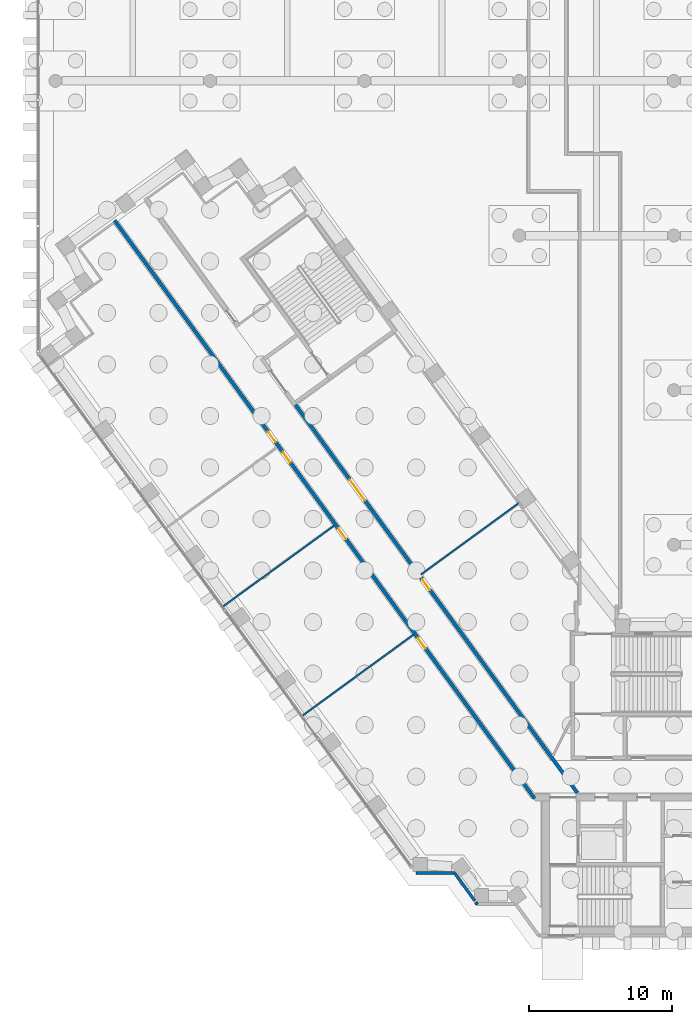
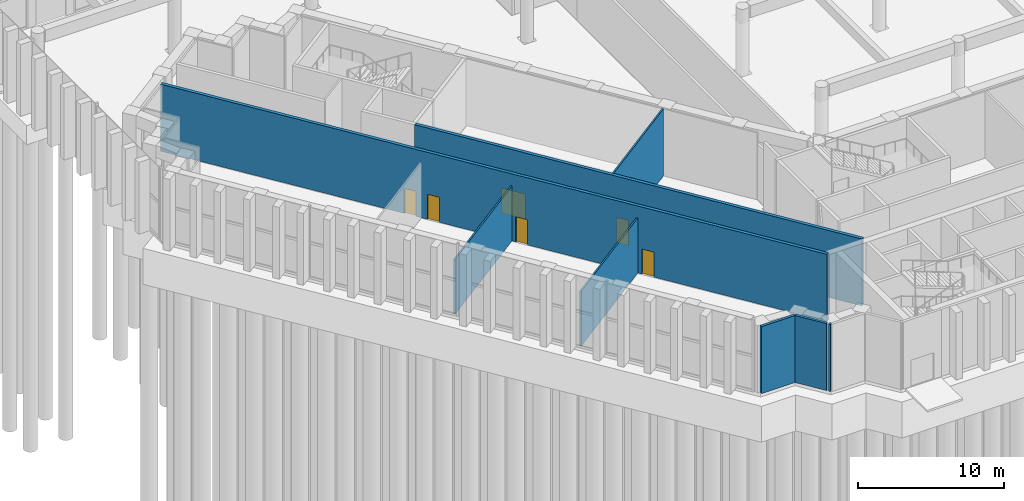
# One storey, part 16 of 32: 8 walls, 6 doors, 6 openings.
"""IFC4 building model written with IfcOpenShell, lengths in metres."""

from ifc_helpers import new_model, si_unit, direction, frame, frame_2d, origin, place, context, subcontext, project, spatial, rectangle, extrude, material, layer, layer_set, type_object, element, fill, save


model = new_model("IFC4")

# Units and contexts
model_context = context("Model", 3, precision=1e-05, world=origin(), true_north=direction((0.0, 1.0)))
body_context = subcontext(model_context, "Body", "Model", "MODEL_VIEW")
ifc_project = project(units=[si_unit("LENGTHUNIT", "METRE"), si_unit("AREAUNIT", "SQUARE_METRE"), si_unit("VOLUMEUNIT", "CUBIC_METRE"), si_unit("PLANEANGLEUNIT", "RADIAN"), si_unit("MASSUNIT", "GRAM", prefix="KILO")], contexts=[model_context])

# Site, building, storey
site_placement = place(None, origin())
site = spatial("IfcSite", under=ifc_project, at=site_placement, CompositionType="ELEMENT")
building_placement = place(site_placement, origin())
building = spatial("IfcBuilding", under=site, at=building_placement, Name="Quipu Civic Tower", CompositionType="ELEMENT")
storey_placement = place(building_placement, origin())
storey = spatial("IfcBuildingStorey", under=building, at=storey_placement, Name="L00", CompositionType="ELEMENT", Elevation=0.0)

# Wall, openings, doors
ifc_material_1 = material(Name="Concrete C50/60", Category="concrete")
ifc_layer_1 = layer(ifc_material_1, 0.25)
ifc_layer_set_1 = layer_set([ifc_layer_1], Name="Concrete C50/60")
wall_type_1 = type_object("IfcWallType", Name="Corridor wall 250 concrete", PredefinedType="SOLIDWALL", material=ifc_layer_set_1)
wall_1_placement = place(storey_placement, frame((-20.531005859375, -1.5234375, 0.0), z_axis=(0.0, 0.0, 1.0), x_axis=(-0.587784522481, 0.809017524614, 0.0)))
wall_1 = element("IfcWall", 1, at=wall_1_placement, inside=storey, type_object=wall_type_1, Name="Corridor wall C02", PredefinedType="SOLIDWALL", context=body_context, shape_type="SweptSolid", body=[
    extrude(rectangle(XDim=49.912353515625, YDim=0.25, at=frame_2d((24.9560546875, 0.0))), origin(), (0.0, 0.0, 1.0), 5.60009765625),
])
opening_1_placement = place(wall_1_placement, frame((30.765380859375, 0.0, 0.0)))
opening_1 = element("IfcOpeningElement", 2, at=opening_1_placement, cuts=wall_1, Name="Opening D015", PredefinedType="OPENING", context=body_context, shape_type="SweptSolid", body=[
    extrude(rectangle(XDim=0.89990234375, YDim=2.10009765625, at=frame_2d((0.449951171875, 1.050048828125))), frame((0.0, 0.135009765625, 0.0), z_axis=(0.0, -1.0, 0.0), x_axis=(1.0, 0.0, 0.0)), (0.0, 0.0, 1.0), 0.27001953125),
])
opening_2_placement = place(wall_1_placement, frame((22.415771484375, 0.0, 0.0)))
opening_2 = element("IfcOpeningElement", 3, at=opening_2_placement, cuts=wall_1, Name="Opening D017", PredefinedType="OPENING", context=body_context, shape_type="SweptSolid", body=[
    extrude(rectangle(XDim=0.89990234375, YDim=2.10009765625, at=frame_2d((0.449951171875, 1.050048828125))), frame((0.0, 0.135009765625, 0.0), z_axis=(0.0, -1.0, 0.0), x_axis=(1.0, 0.0, 0.0)), (0.0, 0.0, 1.0), 0.27001953125),
])
opening_3_placement = place(wall_1_placement, frame((12.96630859375, 0.0, 0.0)))
opening_3 = element("IfcOpeningElement", 4, at=opening_3_placement, cuts=wall_1, Name="Opening D018", PredefinedType="OPENING", context=body_context, shape_type="SweptSolid", body=[
    extrude(rectangle(XDim=0.89990234375, YDim=2.10009765625, at=frame_2d((0.449951171875, 1.050048828125))), frame((0.0, 0.135009765625, 0.0), z_axis=(0.0, -1.0, 0.0), x_axis=(1.0, 0.0, 0.0)), (0.0, 0.0, 1.0), 0.27001953125),
])
opening_4_placement = place(wall_1_placement, frame((29.015625, 0.0, 0.0)))
opening_4 = element("IfcOpeningElement", 5, at=opening_4_placement, cuts=wall_1, Name="Opening D016", PredefinedType="OPENING", context=body_context, shape_type="SweptSolid", body=[
    extrude(rectangle(XDim=0.89990234375, YDim=2.10009765625, at=frame_2d((0.449951171875, 1.050048828125))), frame((0.0, 0.135009765625, 0.0), z_axis=(0.0, -1.0, 0.0), x_axis=(1.0, 0.0, 0.0)), (0.0, 0.0, 1.0), 0.27001953125),
])
ifc_material_2 = material(Name="Fire rated timber door set with metal frame", Category="wood")
door_type_1 = type_object("IfcDoorType", Name="Single door 900 x 2100 FD60", OperationType="NOTDEFINED", PredefinedType="DOOR", material=ifc_material_2)
door_1_placement = place(opening_1_placement, origin())
door_1 = element("IfcDoor", 6, at=door_1_placement, inside=storey, type_object=door_type_1, Name="Door D015", OperationType="SINGLE_SWING_LEFT", OverallHeight=2.10009765625, OverallWidth=0.89990234375, PredefinedType="DOOR", context=body_context, shape_type="SweptSolid", body=[
    extrude(rectangle(XDim=0.89990234375, YDim=2.10009765625, at=frame_2d((0.449951171875, 1.050048828125))), frame((0.0, 0.02490234375, 0.0), z_axis=(0.0, -1.0, 0.0), x_axis=(1.0, 0.0, 0.0)), (0.0, 0.0, 1.0), 0.050048828125),
])
fill(opening_1, door_1)
door_2_placement = place(opening_2_placement, origin())
door_2 = element("IfcDoor", 7, at=door_2_placement, inside=storey, type_object=door_type_1, Name="Door D017", OperationType="SINGLE_SWING_RIGHT", OverallHeight=2.10009765625, OverallWidth=0.89990234375, PredefinedType="DOOR", context=body_context, shape_type="SweptSolid", body=[
    extrude(rectangle(XDim=0.89990234375, YDim=2.10009765625, at=frame_2d((0.449951171875, 1.050048828125))), frame((0.0, 0.02490234375, 0.0), z_axis=(0.0, -1.0, 0.0), x_axis=(1.0, 0.0, 0.0)), (0.0, 0.0, 1.0), 0.050048828125),
])
fill(opening_2, door_2)
door_3_placement = place(opening_3_placement, origin())
door_3 = element("IfcDoor", 8, at=door_3_placement, inside=storey, type_object=door_type_1, Name="Door D018", OperationType="SINGLE_SWING_RIGHT", OverallHeight=2.10009765625, OverallWidth=0.89990234375, PredefinedType="DOOR", context=body_context, shape_type="SweptSolid", body=[
    extrude(rectangle(XDim=0.89990234375, YDim=2.10009765625, at=frame_2d((0.449951171875, 1.050048828125))), frame((0.0, 0.02490234375, 0.0), z_axis=(0.0, -1.0, 0.0), x_axis=(1.0, 0.0, 0.0)), (0.0, 0.0, 1.0), 0.050048828125),
])
fill(opening_3, door_3)
door_4_placement = place(opening_4_placement, origin())
door_4 = element("IfcDoor", 9, at=door_4_placement, inside=storey, type_object=door_type_1, Name="Door D016", OperationType="SINGLE_SWING_RIGHT", OverallHeight=2.10009765625, OverallWidth=0.89990234375, PredefinedType="DOOR", context=body_context, shape_type="SweptSolid", body=[
    extrude(rectangle(XDim=0.89990234375, YDim=2.10009765625, at=frame_2d((0.449951171875, 1.050048828125))), frame((0.0, 0.02490234375, 0.0), z_axis=(0.0, -1.0, 0.0), x_axis=(1.0, 0.0, 0.0)), (0.0, 0.0, 1.0), 0.050048828125),
])
fill(opening_4, door_4)

wall_2_placement = place(storey_placement, frame((-37.231689453125, 25.9716796875, 0.0), z_axis=(0.0, 0.0, 1.0), x_axis=(0.587786323093, -0.809016216391, 0.0)))
wall_2 = element("IfcWall", 10, at=wall_2_placement, inside=storey, type_object=wall_type_1, Name="Corridor wall C04", PredefinedType="SOLIDWALL", context=body_context, shape_type="SweptSolid", body=[
    extrude(rectangle(XDim=33.4931640625, YDim=0.25, at=frame_2d((16.74658203125, 0.0))), origin(), (0.0, 0.0, 1.0), 5.60009765625),
])
opening_5_placement = place(wall_2_placement, frame((6.462158203125, 0.0, 0.0)))
opening_5 = element("IfcOpeningElement", 11, at=opening_5_placement, cuts=wall_2, Name="Opening D013", PredefinedType="OPENING", context=body_context, shape_type="SweptSolid", body=[
    extrude(rectangle(XDim=1.800048828125, YDim=2.10009765625, at=frame_2d((0.89990234375, 1.050048828125))), frame((0.0, 0.135009765625, 0.0), z_axis=(0.0, -1.0, 0.0), x_axis=(1.0, 0.0, 0.0)), (0.0, 0.0, 1.0), 0.27001953125),
])
opening_6_placement = place(wall_2_placement, frame((15.085205078125, 0.0, 0.0)))
opening_6 = element("IfcOpeningElement", 12, at=opening_6_placement, cuts=wall_2, Name="Opening D014", PredefinedType="OPENING", context=body_context, shape_type="SweptSolid", body=[
    extrude(rectangle(XDim=0.89990234375, YDim=2.10009765625, at=frame_2d((0.449951171875, 1.050048828125))), frame((0.0, 0.135009765625, 0.0), z_axis=(0.0, -1.0, 0.0), x_axis=(1.0, 0.0, 0.0)), (0.0, 0.0, 1.0), 0.27001953125),
])
ifc_material_3 = material(Name="Fire rated timber door set with metal frame", Category="wood")
door_type_2 = type_object("IfcDoorType", Name="Double door 1800 x 2100 FD60", OperationType="DOUBLE_DOOR_SINGLE_SWING", PredefinedType="DOOR", material=ifc_material_3)
door_5_placement = place(opening_5_placement, origin())
door_5 = element("IfcDoor", 13, at=door_5_placement, inside=storey, type_object=door_type_2, Name="Door D013", OperationType="DOUBLE_DOOR_SINGLE_SWING", OverallHeight=2.10009765625, OverallWidth=1.800048828125, PredefinedType="DOOR", context=body_context, shape_type="SweptSolid", body=[
    extrude(rectangle(XDim=1.800048828125, YDim=2.10009765625, at=frame_2d((0.89990234375, 1.050048828125))), frame((0.0, 0.02490234375, 0.0), z_axis=(0.0, -1.0, 0.0), x_axis=(1.0, 0.0, 0.0)), (0.0, 0.0, 1.0), 0.050048828125),
])
fill(opening_5, door_5)
door_6_placement = place(opening_6_placement, origin())
door_6 = element("IfcDoor", 14, at=door_6_placement, inside=storey, type_object=door_type_1, Name="Door D014", OperationType="SINGLE_SWING_LEFT", OverallHeight=2.10009765625, OverallWidth=0.89990234375, PredefinedType="DOOR", context=body_context, shape_type="SweptSolid", body=[
    extrude(rectangle(XDim=0.89990234375, YDim=2.10009765625, at=frame_2d((0.449951171875, 1.050048828125))), frame((0.0, 0.02490234375, 0.0), z_axis=(0.0, -1.0, 0.0), x_axis=(1.0, 0.0, 0.0)), (0.0, 0.0, 1.0), 0.050048828125),
])
fill(opening_6, door_6)

# Walls
ifc_material_4 = material(Name="Gypsum plasterboard on light gauge framing")
ifc_layer_2 = layer(ifc_material_4, 0.1201171875)
ifc_layer_set_2 = layer_set([ifc_layer_2], Name="Gypsum plasterboard on light gauge framing")
wall_type_2 = type_object("IfcWallType", Name="Partition 120 plasterboard", PredefinedType="PARTITIONING", material=ifc_layer_set_2)
wall_3_placement = place(storey_placement, frame((-36.71240234375, 4.288330078125, 0.0), z_axis=(0.0, 0.0, 1.0), x_axis=(0.807606997933, 0.589721067023, 0.0)))
element("IfcWall", 15, at=wall_3_placement, inside=storey, type_object=wall_type_2, Name="Partition P05", PredefinedType="PARTITIONING", context=body_context, shape_type="SweptSolid", body=[
    extrude(rectangle(XDim=9.550048828125, YDim=0.1201171875, at=frame_2d((4.77490234375, 0.0))), origin(), (0.0, 0.0, 1.0), 4.60009765625),
])
wall_4_placement = place(storey_placement, frame((-34.5302734375, 17.53271484375, 0.0), z_axis=(0.0, 0.0, 1.0), x_axis=(-0.809048817734, -0.587741448702, 0.0)))
element("IfcWall", 16, at=wall_4_placement, inside=storey, type_object=wall_type_2, Name="Partition P06", PredefinedType="PARTITIONING", context=body_context, shape_type="SweptSolid", body=[
    extrude(rectangle(XDim=9.55029296875, YDim=0.1201171875, at=frame_2d((4.775146484375, 0.0))), origin(), (0.0, 0.0, 1.0), 4.60009765625),
])
wall_5_placement = place(storey_placement, frame((-28.468994140625, 14.1240234375, 0.0), z_axis=(0.0, 0.0, 1.0), x_axis=(0.807603876984, 0.589725341053, 0.0)))
element("IfcWall", 17, at=wall_5_placement, inside=storey, type_object=wall_type_2, Name="Partition P09", PredefinedType="PARTITIONING", context=body_context, shape_type="SweptSolid", body=[
    extrude(rectangle(XDim=8.449951171875, YDim=0.1201171875, at=frame_2d((4.22509765625, 0.0))), origin(), (0.0, 0.0, 1.0), 5.60009765625),
])
ifc_material_5 = material(Name="Precast concrete C40/50", Category="concrete")
wall_type_3 = type_object("IfcWallType", Name="Precast cladding wall", PredefinedType="SOLIDWALL", material=ifc_material_5)
wall_6_placement = place(storey_placement, frame((-28.829833984375, -6.71923828125, 0.0), z_axis=(0.0, 0.0, 1.0), x_axis=(1.0, 0.0, 0.0)))
element("IfcWall", 18, at=wall_6_placement, inside=storey, type_object=wall_type_3, Name="Precast cladding wall L00 36", PredefinedType="SOLIDWALL", context=body_context, shape_type="SweptSolid", body=[
    extrude(rectangle(XDim=2.699951171875, YDim=0.199951171875, at=frame_2d((1.35009765625, 0.0))), origin(), (0.0, 0.0, 1.0), 5.60009765625),
])
wall_7_placement = place(storey_placement, frame((-26.1201171875, -6.72412109375, 0.0), z_axis=(0.0, 0.0, 1.0), x_axis=(0.587706476352, -0.809074222587, 0.0)))
element("IfcWall", 19, at=wall_7_placement, inside=storey, type_object=wall_type_3, Name="Precast cladding wall L00 37", PredefinedType="SOLIDWALL", context=body_context, shape_type="SweptSolid", body=[
    extrude(rectangle(XDim=2.403076171875, YDim=0.199951171875, at=frame_2d((1.20166015625, 0.0))), origin(), (0.0, 0.0, 1.0), 5.60009765625),
])
wall_8_placement = place(storey_placement, frame((-24.623779296875, -8.78369140625, 0.0), z_axis=(0.0, 0.0, 1.0), x_axis=(0.586760218966, -0.809760733451, 0.0)))
element("IfcWall", 20, at=wall_8_placement, inside=storey, type_object=wall_type_3, Name="Precast cladding wall L00 38", PredefinedType="SOLIDWALL", context=body_context, shape_type="SweptSolid", body=[
    extrude(rectangle(XDim=0.154296875, YDim=0.199951171875, at=frame_2d((0.0771484375, 0.0))), origin(), (0.0, 0.0, 1.0), 5.60009765625),
])

save(model, "model.ifc")
